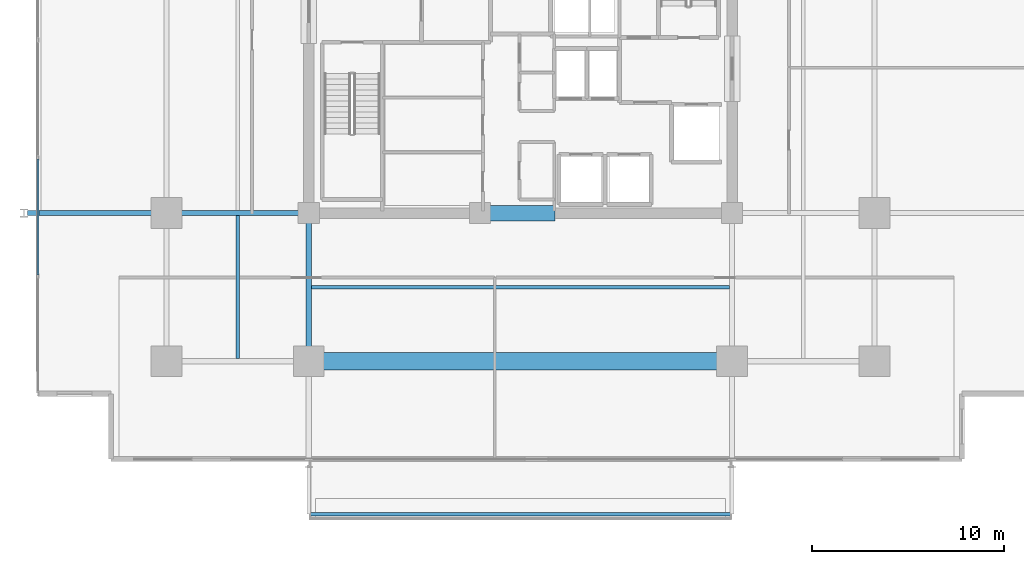
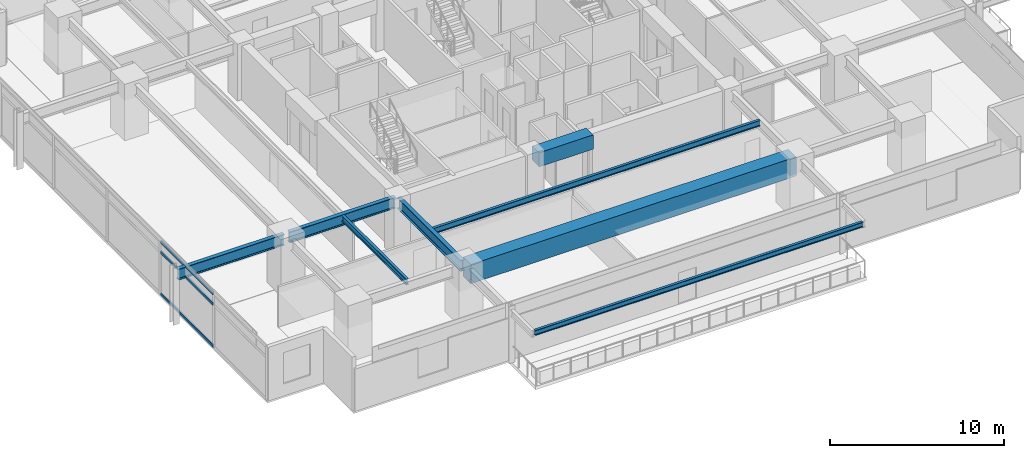
# One storey, part 3 of 21: 8 beams, 3 members, 1 element without a shape of its own.
"""IFC4 building model written with IfcOpenShell, lengths in metres."""

from ifc_helpers import new_model, si_unit, direction, frame, origin, origin_2d, place, context, subcontext, project, spatial, rectangle, hollow_rectangle, i_section, extrude, material, material_profile, profile_set, type_object, element, aggregate, save


model = new_model("IFC4")

# Units and contexts
model_context = context("Model", 3, precision=1e-05, world=origin(), true_north=direction((0.0, 1.0)))
body_context = subcontext(model_context, "Body", "Model", "MODEL_VIEW")
ifc_project = project(units=[si_unit("LENGTHUNIT", "METRE"), si_unit("AREAUNIT", "SQUARE_METRE"), si_unit("VOLUMEUNIT", "CUBIC_METRE"), si_unit("PLANEANGLEUNIT", "RADIAN"), si_unit("MASSUNIT", "GRAM", prefix="KILO")], contexts=[model_context])

# Site, building, storey
site_placement = place(None, origin())
site = spatial("IfcSite", under=ifc_project, at=site_placement, CompositionType="ELEMENT")
building_placement = place(site_placement, origin())
building = spatial("IfcBuilding", under=site, at=building_placement, Name="Kovane Verandah Tower", CompositionType="ELEMENT")
storey_placement = place(building_placement, frame((0.0, 0.0, 172.39990234375)))
storey = spatial("IfcBuildingStorey", under=building, at=storey_placement, Name="L40", CompositionType="ELEMENT", Elevation=172.39990234375)

# Beams
ifc_material_1 = material(Name="Concrete C60/75", Category="concrete")
ifc_material_profile_1 = material_profile(ifc_material_1, rectangle(XDim=0.800048828125, YDim=1.0, at=origin_2d()), Name="RCB800x1000")
ifc_profile_set_1 = profile_set([ifc_material_profile_1], Name="Concrete C60/75")
beam_type_1 = type_object("IfcBeamType", Name="BM-LINTEL-800x1000", PredefinedType="LINTEL", material=ifc_profile_set_1)
beam_1_placement = place(storey_placement, frame((38.199951171875, 18.5, 3.275146484375), z_axis=(1.0, 0.0, 0.0), x_axis=(0.0, 1.0, 0.0)))
element("IfcBeam", 1, at=beam_1_placement, inside=storey, type_object=beam_type_1, Name="L40 Core Coupling Lintel CL-S", PredefinedType="LINTEL", context=body_context, shape_type="SweptSolid", body=[
    extrude(rectangle(XDim=0.800048828125, YDim=1.0, at=origin_2d()), origin(), (0.0, 0.0, 1.0), 3.60009765625),
])
ifc_material_2 = material(Name="Concrete C80/95", Category="concrete")
ifc_material_profile_2 = material_profile(ifc_material_2, rectangle(XDim=0.89990234375, YDim=1.35009765625, at=origin_2d()), Name="RCB900x1350")
ifc_profile_set_2 = profile_set([ifc_material_profile_2], Name="Concrete C80/95")
beam_type_2 = type_object("IfcBeamType", Name="BM-TR-900x1350", PredefinedType="BEAM", material=ifc_profile_set_2)
beam_2_placement = place(storey_placement, frame((29.179931640625, 10.800048828125, 3.10009765625), z_axis=(1.0, 0.0, 0.0), x_axis=(0.0, 1.0, 0.0)))
element("IfcBeam", 2, at=beam_2_placement, inside=storey, type_object=beam_type_2, Name="L40 Primary Tower Girder G-RS2", PredefinedType="BEAM", context=body_context, shape_type="SweptSolid", body=[
    extrude(rectangle(XDim=0.89990234375, YDim=1.35009765625, at=origin_2d()), origin(), (0.0, 0.0, 1.0), 21.64013671875),
])
ifc_material_3 = material(Name="Steel S355", Category="steel")
ifc_material_profile_3 = material_profile(ifc_material_3, i_section(OverallWidth=0.26806640625, OverallDepth=0.769775390625, WebThickness=0.015625, FlangeThickness=0.025390625, FilletRadius=0.0166015625, at=origin_2d()), Name="UB762x267x197")
ifc_profile_set_3 = profile_set([ifc_material_profile_3], Name="Steel S355")
beam_type_3 = type_object("IfcBeamType", Name="BM-UB762x197", PredefinedType="BEAM", material=ifc_profile_set_3)
beam_3_placement = place(storey_placement, frame((28.820068359375, 18.5, 3.39013671875), z_axis=(-1.0, 0.0, 0.0), x_axis=(0.0, -1.0, 0.0)))
element("IfcBeam", 3, at=beam_3_placement, inside=storey, type_object=beam_type_3, Name="L40 Primary Tower Girder G-W1", PredefinedType="BEAM", context=body_context, shape_type="SweptSolid", body=[
    extrude(i_section(OverallWidth=0.26806640625, OverallDepth=0.769775390625, WebThickness=0.015625, FlangeThickness=0.025390625, FilletRadius=0.0166015625, at=origin_2d()), origin(), (0.0, 0.0, 1.0), 7.0400390625),
])
beam_4_placement = place(storey_placement, frame((29.0, 18.320068359375, 3.39013671875), z_axis=(0.0, -1.0, 0.0), x_axis=(1.0, 0.0, 0.0)))
element("IfcBeam", 4, at=beam_4_placement, inside=storey, type_object=beam_type_3, Name="L40 Primary Tower Girder G-S1", PredefinedType="BEAM", context=body_context, shape_type="SweptSolid", body=[
    extrude(i_section(OverallWidth=0.26806640625, OverallDepth=0.769775390625, WebThickness=0.015625, FlangeThickness=0.025390625, FilletRadius=0.0166015625, at=origin_2d()), origin(), (0.0, 0.0, 1.0), 7.340087890625),
])
beam_5_placement = place(storey_placement, frame((21.419921875, 18.5, 3.375244140625), z_axis=(-1.0, 0.0, 0.0), x_axis=(0.0, -1.0, 0.0)))
element("IfcBeam", 5, at=beam_5_placement, inside=storey, type_object=beam_type_3, Name="L40 Primary Tower Girder G-VW1", PredefinedType="BEAM", context=body_context, shape_type="SweptSolid", body=[
    extrude(i_section(OverallWidth=0.26806640625, OverallDepth=0.769775390625, WebThickness=0.015625, FlangeThickness=0.025390625, FilletRadius=0.0166015625, at=origin_2d()), origin(), (0.0, 0.0, 1.0), 7.0400390625),
])

# Curtain wall, members
ifc_material_4 = material(Name="Champagne Anodised Aluminium Frame with Low-E Clear Laminated Glass", Category="aluminium")
curtain_wall_type = type_object("IfcCurtainWallType", Name="CW-SYS-03-MID", PredefinedType="NOTDEFINED", material=ifc_material_4)
curtain_wall_placement = place(storey_placement, origin())
curtain_wall = element("IfcCurtainWall", 6, at=curtain_wall_placement, inside=storey, type_object=curtain_wall_type, Name="L40 W Unitised Curtain Wall", PredefinedType="NOTDEFINED")
ifc_material_5 = material(Name="Champagne Anodised Aluminium 6063-T6", Category="aluminium")
ifc_material_profile_4 = material_profile(ifc_material_5, hollow_rectangle(XDim=0.0849609375, YDim=0.18994140625, WallThickness=0.00390625, at=origin_2d()), Name="AL85x190x4")
ifc_profile_set_4 = profile_set([ifc_material_profile_4], Name="Champagne Anodised Aluminium 6063-T6")
member_type = type_object("IfcMemberType", Name="CW-TRN-85x190", PredefinedType="USERDEFINED", material=ifc_profile_set_4)
member_1_placement = place(storey_placement, frame((14.9296875, 21.3203125, 0.050048828125), z_axis=(0.0, -1.0, 0.0), x_axis=(1.0, 0.0, 0.0)))
member_1 = element("IfcMember", 7, at=member_1_placement, type_object=member_type, Name="L40 W Unitised Curtain Wall Transom TB Bay 5", ObjectType="TRANSOM", PredefinedType="USERDEFINED", context=body_context, shape_type="SweptSolid", body=[
    extrude(hollow_rectangle(XDim=0.0849609375, YDim=0.18994140625, WallThickness=0.00390625, at=origin_2d()), origin(), (0.0, 0.0, 1.0), 6.02978515625),
])
member_2_placement = place(storey_placement, frame((14.9296875, 21.3203125, 2.9951171875), z_axis=(0.0, -1.0, 0.0), x_axis=(1.0, 0.0, 0.0)))
member_2 = element("IfcMember", 8, at=member_2_placement, type_object=member_type, Name="L40 W Unitised Curtain Wall Transom TM Bay 5", ObjectType="TRANSOM", PredefinedType="USERDEFINED", context=body_context, shape_type="SweptSolid", body=[
    extrude(hollow_rectangle(XDim=0.0849609375, YDim=0.18994140625, WallThickness=0.00390625, at=origin_2d()), origin(), (0.0, 0.0, 1.0), 6.02978515625),
])
member_3_placement = place(storey_placement, frame((14.9296875, 21.3203125, 3.72509765625), z_axis=(0.0, -1.0, 0.0), x_axis=(1.0, 0.0, 0.0)))
member_3 = element("IfcMember", 9, at=member_3_placement, type_object=member_type, Name="L40 W Unitised Curtain Wall Transom TT Bay 5", ObjectType="TRANSOM", PredefinedType="USERDEFINED", context=body_context, shape_type="SweptSolid", body=[
    extrude(hollow_rectangle(XDim=0.0849609375, YDim=0.18994140625, WallThickness=0.00390625, at=origin_2d()), origin(), (0.0, 0.0, 1.0), 6.02978515625),
])
aggregate(curtain_wall, [member_1, member_2, member_3])

# Beams
ifc_material_profile_5 = material_profile(ifc_material_3, i_section(OverallWidth=0.179443359375, OverallDepth=0.412841796875, WebThickness=0.009521484375, FlangeThickness=0.01611328125, FilletRadius=0.01025390625, at=origin_2d()), Name="UB406x178x74")
ifc_profile_set_5 = profile_set([ifc_material_profile_5], Name="Steel S355")
beam_type_4 = type_object("IfcBeamType", Name="JST-UB406x74", PredefinedType="JOIST", material=ifc_profile_set_5)
beam_6_placement = place(storey_placement, frame((29.132080078125, 14.64990234375, 3.568603515625), z_axis=(1.0, 0.0, 0.0), x_axis=(0.0, 1.0, 0.0)))
element("IfcBeam", 10, at=beam_6_placement, inside=storey, type_object=beam_type_4, Name="L40 Secondary Composite Joist J-S1", PredefinedType="JOIST", context=body_context, shape_type="SweptSolid", body=[
    extrude(i_section(OverallWidth=0.179443359375, OverallDepth=0.412841796875, WebThickness=0.009521484375, FlangeThickness=0.01611328125, FilletRadius=0.01025390625, at=origin_2d()), origin(), (0.0, 0.0, 1.0), 21.73583984375),
])
beam_7_placement = place(storey_placement, frame((25.300048828125, 10.931884765625, 3.568603515625), z_axis=(0.0, 1.0, 0.0), x_axis=(-1.0, 0.0, 0.0)))
element("IfcBeam", 11, at=beam_7_placement, inside=storey, type_object=beam_type_4, Name="L40 Secondary Composite Joist J-SW1", PredefinedType="JOIST", context=body_context, shape_type="SweptSolid", body=[
    extrude(i_section(OverallWidth=0.179443359375, OverallDepth=0.412841796875, WebThickness=0.009521484375, FlangeThickness=0.01611328125, FilletRadius=0.01025390625, at=origin_2d()), origin(), (0.0, 0.0, 1.0), 7.43603515625),
])
ifc_material_profile_6 = material_profile(ifc_material_3, i_section(OverallWidth=0.173095703125, OverallDepth=0.36328125, WebThickness=0.009033203125, FlangeThickness=0.015625, FilletRadius=0.01025390625, at=origin_2d()), Name="UB356x171x67")
ifc_profile_set_6 = profile_set([ifc_material_profile_6], Name="Steel S355")
beam_type_5 = type_object("IfcBeamType", Name="SPD-UB356x67", PredefinedType="USERDEFINED", material=ifc_profile_set_6)
beam_8_placement = place(storey_placement, frame((29.094482421875, 2.85498046875, 3.578369140625), z_axis=(1.0, 0.0, 0.0), x_axis=(0.0, 1.0, 0.0)))
element("IfcBeam", 12, at=beam_8_placement, inside=storey, type_object=beam_type_5, Name="L40 South Planter Edge Spandrel", ObjectType="SPANDREL", PredefinedType="USERDEFINED", context=body_context, shape_type="SweptSolid", body=[
    extrude(i_section(OverallWidth=0.173095703125, OverallDepth=0.36328125, WebThickness=0.009033203125, FlangeThickness=0.015625, FilletRadius=0.01025390625, at=origin_2d()), origin(), (0.0, 0.0, 1.0), 21.81103515625),
])

save(model, "model.ifc")
